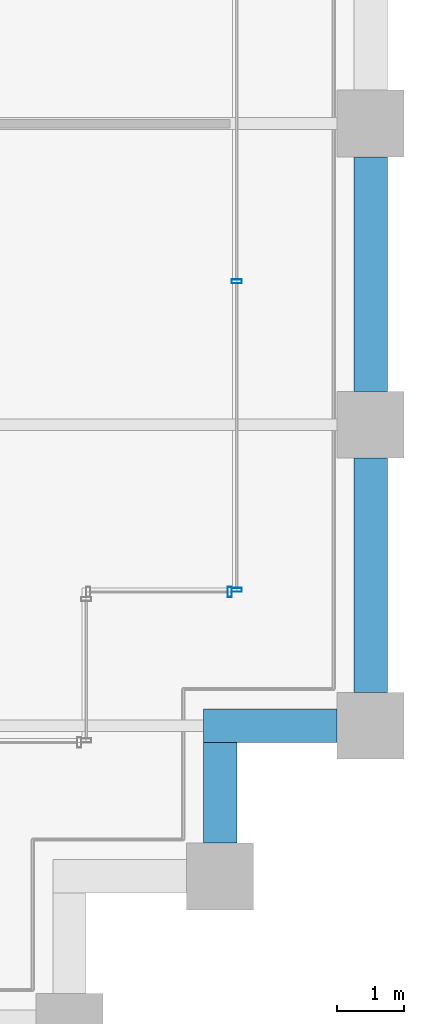
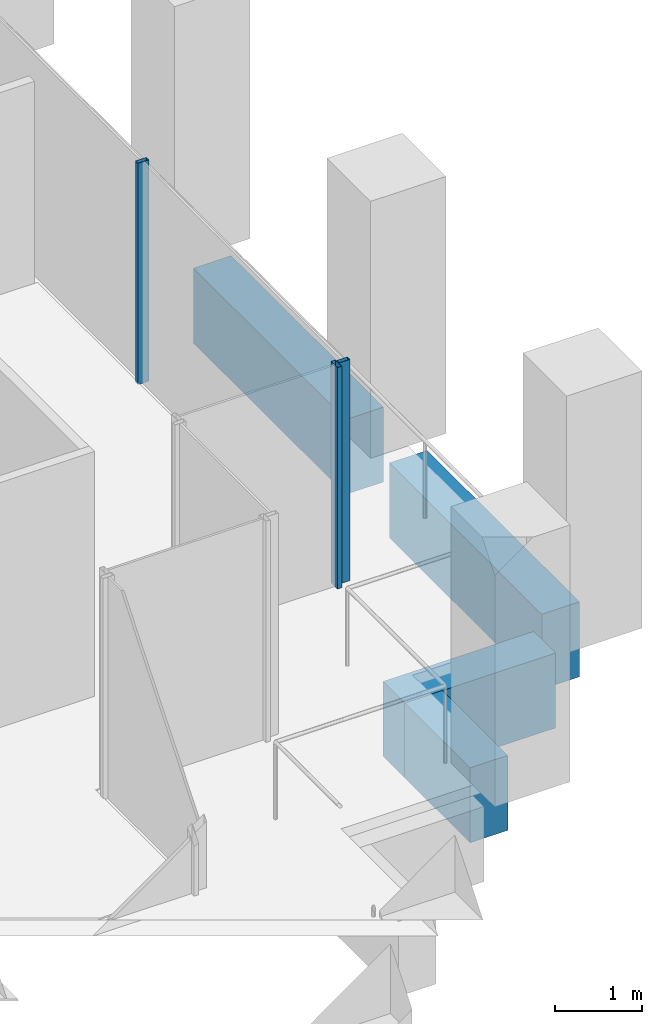
# One storey, part 37 of 46: 4 beams, 3 members, 2 elements without a shape of their own.
"""IFC4 building model written with IfcOpenShell, lengths in metres."""

from ifc_helpers import new_model, si_unit, direction, frame, origin, origin_2d, place, context, subcontext, project, spatial, rectangle, hollow_rectangle, extrude, material, material_profile, profile_set, type_object, element, aggregate, save


model = new_model("IFC4")

# Units and contexts
model_context = context("Model", 3, precision=1e-05, world=origin(), true_north=direction((0.0, 1.0)))
body_context = subcontext(model_context, "Body", "Model", "MODEL_VIEW")
ifc_project = project(units=[si_unit("LENGTHUNIT", "METRE"), si_unit("AREAUNIT", "SQUARE_METRE"), si_unit("VOLUMEUNIT", "CUBIC_METRE"), si_unit("PLANEANGLEUNIT", "RADIAN"), si_unit("MASSUNIT", "GRAM", prefix="KILO")], contexts=[model_context])

# Site, building, storey
site_placement = place(None, origin())
site = spatial("IfcSite", under=ifc_project, at=site_placement, CompositionType="ELEMENT")
building_placement = place(site_placement, origin())
building = spatial("IfcBuilding", under=site, at=building_placement, Name="Altepetl Exchange Towers", CompositionType="ELEMENT")
storey_placement = place(building_placement, frame((0.0, 0.0, 124.39990234375)))
storey = spatial("IfcBuildingStorey", under=building, at=storey_placement, Name="L30", CompositionType="ELEMENT", Elevation=124.39990234375)

# Curtain wall, member
ifc_material_1 = material(Name="Aluminium 6063-T6 glazing", Category="aluminium")
curtain_wall_type = type_object("IfcCurtainWallType", Name="Loggia glazing system", PredefinedType="NOTDEFINED", material=ifc_material_1)
curtain_wall_1_placement = place(storey_placement, origin())
curtain_wall_1 = element("IfcCurtainWall", 1, at=curtain_wall_1_placement, inside=storey, type_object=curtain_wall_type, Name="CW1 run", PredefinedType="NOTDEFINED")
ifc_material_2 = material(Name="Aluminium 6063-T6", Category="aluminium")
ifc_material_profile_1 = material_profile(ifc_material_2, hollow_rectangle(XDim=0.06005859375, YDim=0.14990234375, WallThickness=0.0029296875, at=origin_2d()), Name="Mullion 60x150 aluminium")
ifc_profile_set_1 = profile_set([ifc_material_profile_1], Name="Aluminium 6063-T6")
member_type = type_object("IfcMemberType", Name="Mullion 60x150 aluminium", PredefinedType="MULLION", material=ifc_profile_set_1)
member_1_placement = place(storey_placement, frame((123.89501953125, 33.5, 0.0)))
member_1 = element("IfcMember", 2, at=member_1_placement, type_object=member_type, Name="MU1 mullion", PredefinedType="MULLION", context=body_context, shape_type="SweptSolid", body=[
    extrude(hollow_rectangle(XDim=0.06005859375, YDim=0.14990234375, WallThickness=0.0029296875, at=origin_2d()), origin(), (0.0, 0.0, 1.0), 3.10009765625),
])
aggregate(curtain_wall_1, [member_1])

# Curtain wall, members
curtain_wall_2_placement = place(storey_placement, origin())
curtain_wall_2 = element("IfcCurtainWall", 3, at=curtain_wall_2_placement, inside=storey, type_object=curtain_wall_type, Name="CW1 run", PredefinedType="NOTDEFINED")
member_2_placement = place(storey_placement, frame((124.0, 33.530029296875, 0.0), z_axis=(0.0, 0.0, 1.0), x_axis=(0.0, 1.0, 0.0)))
member_2 = element("IfcMember", 4, at=member_2_placement, type_object=member_type, Name="MU1 mullion", PredefinedType="MULLION", context=body_context, shape_type="SweptSolid", body=[
    extrude(hollow_rectangle(XDim=0.06005859375, YDim=0.14990234375, WallThickness=0.0029296875, at=origin_2d()), origin(), (0.0, 0.0, 1.0), 3.10009765625),
])
member_3_placement = place(storey_placement, frame((124.0, 38.1416015625, 0.0), z_axis=(0.0, 0.0, 1.0), x_axis=(0.0, 1.0, 0.0)))
member_3 = element("IfcMember", 5, at=member_3_placement, type_object=member_type, Name="MU1 mullion", PredefinedType="MULLION", context=body_context, shape_type="SweptSolid", body=[
    extrude(hollow_rectangle(XDim=0.06005859375, YDim=0.14990234375, WallThickness=0.0029296875, at=origin_2d()), origin(), (0.0, 0.0, 1.0), 3.10009765625),
])
aggregate(curtain_wall_2, [member_2, member_3])

# Beams
ifc_material_3 = material(Name="Concrete C50/60 precast with cantera blanca facing", Category="concrete")
ifc_material_profile_2 = material_profile(ifc_material_3, rectangle(XDim=0.5, YDim=1.050048828125, at=origin_2d()), Name="500 x 1050")
ifc_profile_set_2 = profile_set([ifc_material_profile_2], Name="Concrete C50/60 precast with cantera blanca facing")
beam_type = type_object("IfcBeamType", Name="Spandrel beam 500x1050 cantera blanca", PredefinedType="SPANDREL", material=ifc_profile_set_2)
beam_1_placement = place(storey_placement, frame((123.75, 29.75, -0.6748046875), z_axis=(0.0, 1.0, 0.0), x_axis=(-1.0, 0.0, 0.0)))
element("IfcBeam", 6, at=beam_1_placement, inside=storey, type_object=beam_type, Name="sp:B:L30:007", PredefinedType="SPANDREL", context=body_context, shape_type="SweptSolid", body=[
    extrude(rectangle(XDim=0.5, YDim=1.050048828125, at=origin_2d()), origin(), (0.0, 0.0, 1.0), 1.5),
])
beam_2_placement = place(storey_placement, frame((123.5, 31.5, -0.6748046875), z_axis=(1.0, 0.0, 0.0), x_axis=(0.0, 1.0, 0.0)))
element("IfcBeam", 7, at=beam_2_placement, inside=storey, type_object=beam_type, Name="sp:B:L30:008", PredefinedType="SPANDREL", context=body_context, shape_type="SweptSolid", body=[
    extrude(rectangle(XDim=0.5, YDim=1.050048828125, at=origin_2d()), origin(), (0.0, 0.0, 1.0), 2.0),
])
for number, where, z_axis, x_axis, name in (
    (8, (126.0, 32.0, -0.6748046875), (0.0, 1.0, 0.0), (-1.0, 0.0, 0.0), "sp:B:L30:009"),
    (9, (126.0, 36.5, -0.6748046875), (0.0, 1.0, 0.0), (-1.0, 0.0, 0.0), "sp:B:L30:010"),
):
    element("IfcBeam", number, at=place(storey_placement, frame(where, z_axis=z_axis, x_axis=x_axis)), inside=storey, type_object=beam_type, Name=name, PredefinedType="SPANDREL", context=body_context, shape_type="SweptSolid", body=[
        extrude(rectangle(XDim=0.5, YDim=1.050048828125, at=origin_2d()), origin(), (0.0, 0.0, 1.0), 3.5),
    ])

save(model, "model.ifc")
